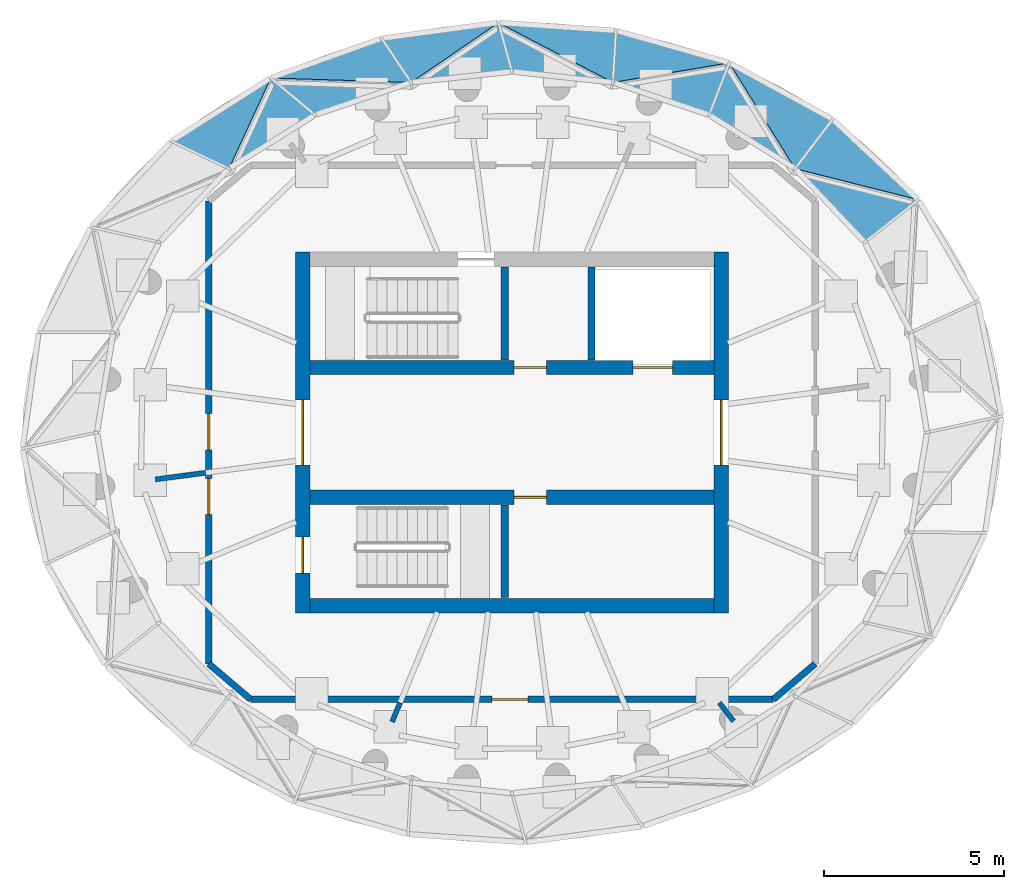
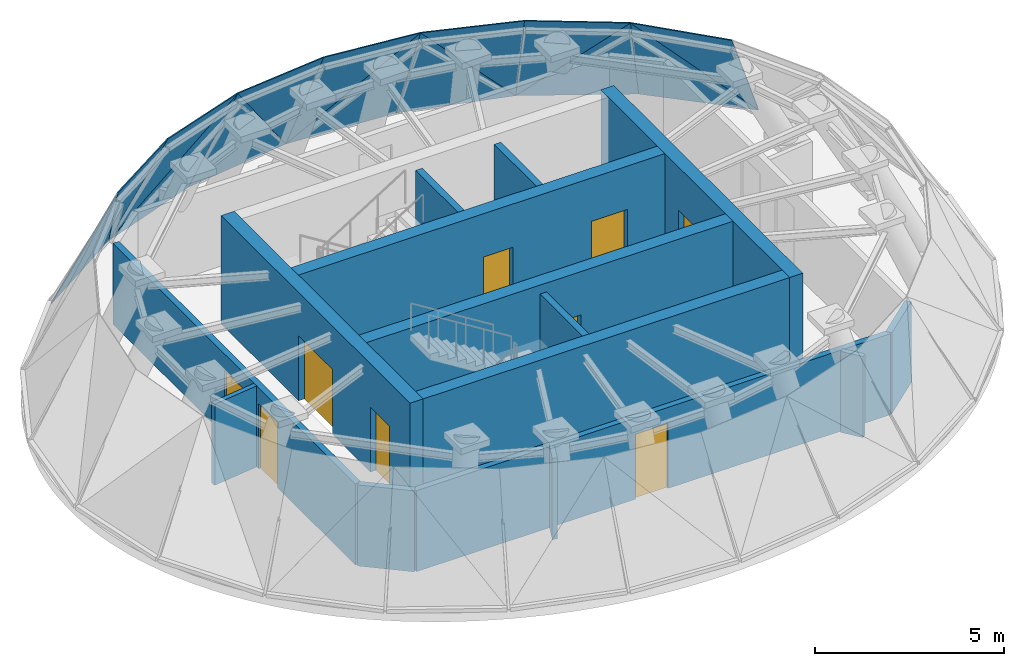
# One storey, part 6 of 8: 15 walls, 14 plates, 9 doors, 9 openings, 14 elements without a shape of their own.
"""IFC4 building model written with IfcOpenShell, lengths in metres."""

from ifc_helpers import new_model, si_unit, direction, frame, frame_2d, origin, place, context, subcontext, project, spatial, line, indexed_curve, rectangle, outline, extrude, source, transform, mapped, material, layer, layer_set, type_object, element, fill, aggregate, save


model = new_model("IFC4")

# Units and contexts
model_context = context("Model", 3, precision=1e-05, world=origin(), true_north=direction((0.0, 1.0)))
body_context = subcontext(model_context, "Body", "Model", "MODEL_VIEW")
ifc_project = project(units=[si_unit("LENGTHUNIT", "METRE"), si_unit("AREAUNIT", "SQUARE_METRE"), si_unit("VOLUMEUNIT", "CUBIC_METRE"), si_unit("PLANEANGLEUNIT", "RADIAN"), si_unit("MASSUNIT", "GRAM", prefix="KILO")], contexts=[model_context])

# Site, building, storey
site_placement = place(None, origin())
site = spatial("IfcSite", under=ifc_project, at=site_placement, CompositionType="ELEMENT")
building_placement = place(site_placement, origin())
building = spatial("IfcBuilding", under=site, at=building_placement, Name="Spindrift Exchange Tower", CompositionType="ELEMENT")
storey_placement = place(building_placement, frame((0.0, 0.0, 283.60009765625)))
storey = spatial("IfcBuildingStorey", under=building, at=storey_placement, Name="L70", CompositionType="ELEMENT", Elevation=283.60009765625)

# Curtain wall, plate
ifc_material_1 = material(Name="Fritted laminated glass with bronze frame", Category="glass")
ifc_layer_1 = layer(ifc_material_1, 0.14990234375)
ifc_layer_set_1 = layer_set([ifc_layer_1], Name="CROWN BRONZE RAKED GLAZED WALL")
curtain_wall_type = type_object("IfcCurtainWallType", Name="CROWN BRONZE RAKED GLAZED WALL", PredefinedType="NOTDEFINED", material=ifc_layer_set_1)
curtain_wall_1_placement = place(storey_placement, origin())
curtain_wall_1 = element("IfcCurtainWall", 1, at=curtain_wall_1_placement, inside=storey, type_object=curtain_wall_type, Name="L70 Crown Bronze Raked Glazed Wall facet 9", PredefinedType="NOTDEFINED")
ifc_material_2 = material(Name="Bronze fritted laminated glass, close frit", Category="glass")
ifc_layer_2 = layer(ifc_material_2, 0.030029296875)
ifc_layer_set_2 = layer_set([ifc_layer_2], Name="CROWN BRONZE RAKED GLAZED WALL PANEL CLOSE FRIT 300")
plate_type_1 = type_object("IfcPlateType", Name="CROWN BRONZE RAKED GLAZED WALL PANEL CLOSE FRIT 300", PredefinedType="CURTAIN_PANEL", material=ifc_layer_set_2)
plate_1_placement = place(storey_placement, frame((58.021728515625, 58.243896484375, 0.010986328125), z_axis=(0.253076659336, 0.892603528664, 0.373110097848), x_axis=(-0.962077995666, 0.272774504408, 0.0)))
plate_1 = element("IfcPlate", 2, at=plate_1_placement, type_object=plate_type_1, Name="L70 panel CW-R.5a", PredefinedType="CURTAIN_PANEL", context=body_context, shape_type="SweptSolid", body=[
    extrude(outline(indexed_curve([(0.0, 0.0), (3.2646484375, 0.0), (2.955078125, 3.7607421875)], segments=[line(1, 2, 3, 1)], self_intersect=False)), origin(), (0.0, 0.0, -1.0), 0.030029296875),
])
aggregate(curtain_wall_1, [plate_1])

curtain_wall_2_placement = place(storey_placement, origin())
curtain_wall_2 = element("IfcCurtainWall", 3, at=curtain_wall_2_placement, inside=storey, type_object=curtain_wall_type, Name="L70 Crown Bronze Raked Glazed Wall facet 10", PredefinedType="NOTDEFINED")
plate_2_placement = place(storey_placement, frame((58.021728515625, 58.243896484375, 0.011962890625), z_axis=(0.292316130946, 0.866154204999, 0.405374114556), x_axis=(-0.674511107425, -0.113754503621, 0.729448201633)))
plate_2 = element("IfcPlate", 4, at=plate_2_placement, type_object=plate_type_1, Name="L70 panel CW-R.5b", PredefinedType="CURTAIN_PANEL", context=body_context, shape_type="SweptSolid", body=[
    extrude(outline(indexed_curve([(0.0, 0.0), (4.7822265625, 0.0), (3.0869140625, 2.244140625)], segments=[line(1, 2, 3, 1)], self_intersect=False)), origin(), (0.0, 0.0, -1.0), 0.030029296875),
])
aggregate(curtain_wall_2, [plate_2])

curtain_wall_3_placement = place(storey_placement, origin())
curtain_wall_3 = element("IfcCurtainWall", 5, at=curtain_wall_3_placement, inside=storey, type_object=curtain_wall_type, Name="L70 Crown Bronze Raked Glazed Wall facet 17", PredefinedType="NOTDEFINED")
plate_3_placement = place(storey_placement, frame((45.314208984375, 57.823486328125, 0.01171875), z_axis=(-0.493325295918, 0.775333525435, 0.394319764588), x_axis=(-0.843695379122, -0.536822230583, 0.0)))
plate_3 = element("IfcPlate", 6, at=plate_3_placement, type_object=plate_type_1, Name="L70 panel CW-R.9a", PredefinedType="CURTAIN_PANEL", context=body_context, shape_type="SweptSolid", body=[
    extrude(outline(indexed_curve([(0.0, 0.0), (3.2626953125, 0.0), (2.326171875, 3.7958984375)], segments=[line(1, 2, 3, 1)], self_intersect=False)), origin(), (0.0, 0.0, -1.0), 0.030029296875),
])
aggregate(curtain_wall_3, [plate_3])

curtain_wall_4_placement = place(storey_placement, origin())
curtain_wall_4 = element("IfcCurtainWall", 7, at=curtain_wall_4_placement, inside=storey, type_object=curtain_wall_type, Name="L70 Crown Bronze Raked Glazed Wall facet 18", PredefinedType="NOTDEFINED")
plate_4_placement = place(storey_placement, frame((45.314208984375, 57.823486328125, 0.01171875), z_axis=(-0.485766761889, 0.777880031132, 0.398664408005), x_axis=(-0.260328213113, -0.564145002801, 0.783562146401)))
plate_4 = element("IfcPlate", 8, at=plate_4_placement, type_object=plate_type_1, Name="L70 panel CW-R.9b", PredefinedType="CURTAIN_PANEL", context=body_context, shape_type="SweptSolid", body=[
    extrude(outline(indexed_curve([(0.0, 0.0), (4.4521484375, 0.0), (2.9912109375, 2.4013671875)], segments=[line(1, 2, 3, 1)], self_intersect=False)), origin(), (0.0, 0.0, -1.0), 0.030029296875),
])
aggregate(curtain_wall_4, [plate_4])

curtain_wall_5_placement = place(storey_placement, origin())
curtain_wall_5 = element("IfcCurtainWall", 9, at=curtain_wall_5_placement, inside=storey, type_object=curtain_wall_type, Name="L70 Crown Bronze Raked Glazed Wall facet 11", PredefinedType="NOTDEFINED")
ifc_layer_3 = layer(ifc_material_2, 0.030029296875)
ifc_layer_set_3 = layer_set([ifc_layer_3], Name="CROWN BRONZE RAKED GLAZED WALL PANEL CLOSE FRIT 420")
plate_type_2 = type_object("IfcPlateType", Name="CROWN BRONZE RAKED GLAZED WALL PANEL CLOSE FRIT 420", PredefinedType="CURTAIN_PANEL", material=ifc_layer_set_3)
plate_5_placement = place(storey_placement, frame((51.624267578125, 59.356689453125, 0.01123046875), z_axis=(0.062994162195, 0.922508362069, 0.380801861133), x_axis=(0.99767665123, -0.068127084122, 0.0)))
plate_5 = element("IfcPlate", 10, at=plate_5_placement, type_object=plate_type_2, Name="L70 panel CW-R.6a", PredefinedType="CURTAIN_PANEL", context=body_context, shape_type="SweptSolid", body=[
    extrude(outline(indexed_curve([(0.0, 0.0), (3.2646484375, 0.0), (3.27734375, -3.7734375)], segments=[line(1, 2, 3, 1)], self_intersect=False)), origin(), (0.0, 0.0, -1.0), 0.030029296875),
])
aggregate(curtain_wall_5, [plate_5])

curtain_wall_6_placement = place(storey_placement, origin())
curtain_wall_6 = element("IfcCurtainWall", 11, at=curtain_wall_6_placement, inside=storey, type_object=curtain_wall_type, Name="L70 Crown Bronze Raked Glazed Wall facet 12", PredefinedType="NOTDEFINED")
plate_6_placement = place(storey_placement, frame((51.624267578125, 59.356689453125, 0.010498046875), z_axis=(0.099890765181, 0.930959173628, 0.351193468148), x_axis=(0.634630174156, -0.331455426909, 0.698127382376)))
plate_6 = element("IfcPlate", 12, at=plate_6_placement, type_object=plate_type_2, Name="L70 panel CW-R.6b", PredefinedType="CURTAIN_PANEL", context=body_context, shape_type="SweptSolid", body=[
    extrude(outline(indexed_curve([(0.0, 0.0), (4.998046875, 0.0), (3.1240234375, -2.0966796875)], segments=[line(1, 2, 3, 1)], self_intersect=False)), origin(), (0.0, 0.0, -1.0), 0.030029296875),
])
aggregate(curtain_wall_6, [plate_6])

curtain_wall_7_placement = place(storey_placement, origin())
curtain_wall_7 = element("IfcCurtainWall", 13, at=curtain_wall_7_placement, inside=storey, type_object=curtain_wall_type, Name="L70 Crown Bronze Raked Glazed Wall facet 13", PredefinedType="NOTDEFINED")
plate_7_placement = place(storey_placement, frame((51.624267578125, 59.356689453125, 0.010498046875), z_axis=(-0.125297129076, 0.927100812122, 0.353248798452), x_axis=(-0.990990552755, -0.133931789917, 0.0)))
plate_7 = element("IfcPlate", 14, at=plate_7_placement, type_object=plate_type_2, Name="L70 panel CW-R.7a", PredefinedType="CURTAIN_PANEL", context=body_context, shape_type="SweptSolid", body=[
    extrude(outline(indexed_curve([(0.0, 0.0), (3.2646484375, 0.0), (2.62109375, 3.7294921875)], segments=[line(1, 2, 3, 1)], self_intersect=False)), origin(), (0.0, 0.0, -1.0), 0.030029296875),
])
aggregate(curtain_wall_7, [plate_7])

curtain_wall_8_placement = place(storey_placement, origin())
curtain_wall_8 = element("IfcCurtainWall", 15, at=curtain_wall_8_placement, inside=storey, type_object=curtain_wall_type, Name="L70 Crown Bronze Raked Glazed Wall facet 14", PredefinedType="NOTDEFINED")
plate_8_placement = place(storey_placement, frame((51.624267578125, 59.356689453125, 0.010986328125), z_axis=(-0.099120078612, 0.923776550381, 0.369881190361), x_axis=(-0.531050035247, -0.363459963609, 0.765429758317)))
plate_8 = element("IfcPlate", 16, at=plate_8_placement, type_object=plate_type_2, Name="L70 panel CW-R.7b", PredefinedType="CURTAIN_PANEL", context=body_context, shape_type="SweptSolid", body=[
    extrude(outline(indexed_curve([(0.0, 0.0), (4.55859375, 0.0), (2.9638671875, 2.3173828125)], segments=[line(1, 2, 3, 1)], self_intersect=False)), origin(), (0.0, 0.0, -1.0), 0.030029296875),
])
aggregate(curtain_wall_8, [plate_8])

curtain_wall_9_placement = place(storey_placement, origin())
curtain_wall_9 = element("IfcCurtainWall", 17, at=curtain_wall_9_placement, inside=storey, type_object=curtain_wall_type, Name="L70 Crown Bronze Raked Glazed Wall facet 15", PredefinedType="NOTDEFINED")
plate_9_placement = place(storey_placement, frame((45.314208984375, 57.823486328125, 0.01123046875), z_axis=(-0.310907110989, 0.872257553084, 0.377496396573), x_axis=(0.941951556741, 0.335748811991, 0.0)))
plate_9 = element("IfcPlate", 18, at=plate_9_placement, type_object=plate_type_2, Name="L70 panel CW-R.8a", PredefinedType="CURTAIN_PANEL", context=body_context, shape_type="SweptSolid", body=[
    extrude(outline(indexed_curve([(0.0, 0.0), (3.2646484375, 0.0), (3.6220703125, -3.767578125)], segments=[line(1, 2, 3, 1)], self_intersect=False)), origin(), (0.0, 0.0, -1.0), 0.030029296875),
])
aggregate(curtain_wall_9, [plate_9])

curtain_wall_10_placement = place(storey_placement, origin())
curtain_wall_10 = element("IfcCurtainWall", 19, at=curtain_wall_10_placement, inside=storey, type_object=curtain_wall_type, Name="L70 Crown Bronze Raked Glazed Wall facet 16", PredefinedType="NOTDEFINED")
plate_10_placement = place(storey_placement, frame((45.314208984375, 57.823486328125, 0.0107421875), z_axis=(-0.297914827801, 0.882743555741, 0.363332588924), x_axis=(0.744151646246, -0.023635724876, 0.667592450451)))
plate_10 = element("IfcPlate", 20, at=plate_10_placement, type_object=plate_type_2, Name="L70 panel CW-R.8b", PredefinedType="CURTAIN_PANEL", context=body_context, shape_type="SweptSolid", body=[
    extrude(outline(indexed_curve([(0.0, 0.0), (5.2265625, 0.0), (3.265625, -2.0146484375)], segments=[line(1, 2, 3, 1)], self_intersect=False)), origin(), (0.0, 0.0, -1.0), 0.030029296875),
])
aggregate(curtain_wall_10, [plate_10])

curtain_wall_11_placement = place(storey_placement, origin())
curtain_wall_11 = element("IfcCurtainWall", 21, at=curtain_wall_11_placement, inside=storey, type_object=curtain_wall_type, Name="L70 Crown Bronze Raked Glazed Wall facet 5", PredefinedType="NOTDEFINED")
ifc_layer_4 = layer(ifc_material_2, 0.030029296875)
ifc_layer_set_4 = layer_set([ifc_layer_4], Name="CROWN BRONZE RAKED GLAZED WALL PANEL CLOSE FRIT 540")
plate_type_3 = type_object("IfcPlateType", Name="CROWN BRONZE RAKED GLAZED WALL PANEL CLOSE FRIT 540", PredefinedType="CURTAIN_PANEL", material=ifc_layer_set_4)
plate_11_placement = place(storey_placement, frame((63.263916015625, 54.44921875, 0.01318359375), z_axis=(0.613946553326, 0.655436698277, 0.439854935417), x_axis=(-0.729829019063, 0.683629726485, 0.0)))
plate_11 = element("IfcPlate", 22, at=plate_11_placement, type_object=plate_type_3, Name="L70 panel CW-R.3a", PredefinedType="CURTAIN_PANEL", context=body_context, shape_type="SweptSolid", body=[
    extrude(outline(indexed_curve([(0.0, 0.0), (3.2607421875, 0.0), (3.0849609375, 3.8828125)], segments=[line(1, 2, 3, 1)], self_intersect=False)), origin(), (0.0, 0.0, -1.0), 0.030029296875),
])
aggregate(curtain_wall_11, [plate_11])

curtain_wall_12_placement = place(storey_placement, origin())
curtain_wall_12 = element("IfcCurtainWall", 23, at=curtain_wall_12_placement, inside=storey, type_object=curtain_wall_type, Name="L70 Crown Bronze Raked Glazed Wall facet 6", PredefinedType="NOTDEFINED")
plate_12_placement = place(storey_placement, frame((63.263916015625, 54.44921875, 0.01416015625), z_axis=(0.638838764286, 0.603402878257, 0.477273506238), x_axis=(-0.689566502229, 0.174004142726, 0.703008248399)))
plate_12 = element("IfcPlate", 24, at=plate_12_placement, type_object=plate_type_3, Name="L70 panel CW-R.3b", PredefinedType="CURTAIN_PANEL", context=body_context, shape_type="SweptSolid", body=[
    extrude(outline(indexed_curve([(0.0, 0.0), (4.9580078125, 0.0), (3.2734375, 2.2470703125)], segments=[line(1, 2, 3, 1)], self_intersect=False)), origin(), (0.0, 0.0, -1.0), 0.030029296875),
])
aggregate(curtain_wall_12, [plate_12])

curtain_wall_13_placement = place(storey_placement, origin())
curtain_wall_13 = element("IfcCurtainWall", 25, at=curtain_wall_13_placement, inside=storey, type_object=curtain_wall_type, Name="L70 Crown Bronze Raked Glazed Wall facet 7", PredefinedType="NOTDEFINED")
plate_13_placement = place(storey_placement, frame((58.021728515625, 58.243896484375, 0.012939453125), z_axis=(0.431458104976, 0.788842395267, 0.437688906736), x_axis=(0.877343083313, -0.479863641218, 0.0)))
plate_13 = element("IfcPlate", 26, at=plate_13_placement, type_object=plate_type_3, Name="L70 panel CW-R.4a", PredefinedType="CURTAIN_PANEL", context=body_context, shape_type="SweptSolid", body=[
    extrude(outline(indexed_curve([(0.0, 0.0), (3.2626953125, 0.0), (3.005859375, -3.8779296875)], segments=[line(1, 2, 3, 1)], self_intersect=False)), origin(), (0.0, 0.0, -1.0), 0.030029296875),
])
aggregate(curtain_wall_13, [plate_13])

curtain_wall_14_placement = place(storey_placement, origin())
curtain_wall_14 = element("IfcCurtainWall", 27, at=curtain_wall_14_placement, inside=storey, type_object=curtain_wall_type, Name="L70 Crown Bronze Raked Glazed Wall facet 8", PredefinedType="NOTDEFINED")
plate_14_placement = place(storey_placement, frame((58.021728515625, 58.243896484375, 0.011962890625), z_axis=(0.48551412175, 0.777475467184, 0.399759847295), x_axis=(0.371455514511, -0.597403143667, 0.710725182244)))
plate_14 = element("IfcPlate", 28, at=plate_14_placement, type_object=plate_type_3, Name="L70 panel CW-R.4b", PredefinedType="CURTAIN_PANEL", context=body_context, shape_type="SweptSolid", body=[
    extrude(outline(indexed_curve([(0.0, 0.0), (4.908203125, 0.0), (3.1328125, -2.1796875)], segments=[line(1, 2, 3, 1)], self_intersect=False)), origin(), (0.0, 0.0, -1.0), 0.030029296875),
])
aggregate(curtain_wall_14, [plate_14])

# Wall, opening, door
ifc_material_3 = material(Name="Concrete 40 MPa", Category="concrete")
ifc_layer_5 = layer(ifc_material_3, 0.39990234375)
ifc_layer_set_5 = layer_set([ifc_layer_5], Name="RC Core Wall 400 Concrete 40 MPa")
wall_type_1 = type_object("IfcWallType", Name="RC Core Wall 400 Concrete 40 MPa", PredefinedType="SHEAR", material=ifc_layer_set_5)
wall_1_placement = place(storey_placement, frame((57.800048828125, 43.0, 0.0), z_axis=(0.0, 0.0, 1.0), x_axis=(0.0, 1.0, 0.0)))
wall_1 = element("IfcWall", 29, at=wall_1_placement, inside=storey, type_object=wall_type_1, Name="Core wall E L70", PredefinedType="SHEAR", context=body_context, shape_type="SweptSolid", body=[
    extrude(rectangle(XDim=10.0, YDim=0.39990234375, at=frame_2d((5.0, 0.0))), origin(), (0.0, 0.0, 1.0), 3.5),
])
opening_1_placement = place(wall_1_placement, frame((4.10009765625, 0.0, 0.0)))
opening_1 = element("IfcOpeningElement", 30, at=opening_1_placement, cuts=wall_1, Name="Opening L70-D2", PredefinedType="OPENING", context=body_context, shape_type="SweptSolid", body=[
    extrude(rectangle(XDim=1.800048828125, YDim=2.10009765625, at=frame_2d((0.89990234375, 1.050048828125))), frame((0.0, 0.2099609375, 0.0), z_axis=(0.0, -1.0, 0.0), x_axis=(1.0, 0.0, 0.0)), (0.0, 0.0, 1.0), 0.419921875),
])
ifc_material_4 = material(Name="Timber-core fire door", Category="wood")
door_type_1 = type_object("IfcDoorType", Name="DR-LOBBY-1800", OperationType="NOTDEFINED", PredefinedType="DOOR", material=ifc_material_4)
shared_shape_1 = source(origin(), body_context, "Body", "SweptSolid", [
    extrude(rectangle(XDim=1.800048828125, YDim=2.10009765625, at=frame_2d((0.89990234375, 1.050048828125))), frame((0.0, 0.02490234375, 0.0), z_axis=(0.0, -1.0, 0.0), x_axis=(1.0, 0.0, 0.0)), (0.0, 0.0, 1.0), 0.050048828125),
])
door_1_placement = place(opening_1_placement, origin())
door_1 = element("IfcDoor", 31, at=door_1_placement, inside=storey, type_object=door_type_1, Name="L70 Lobby door 2", OperationType="SINGLE_SWING_LEFT", OverallHeight=2.10009765625, OverallWidth=1.800048828125, PredefinedType="DOOR", context=body_context, shape_type="MappedRepresentation", body=[
    mapped(shared_shape_1, transform((0.0, 0.0, 0.0), scale=1.0)),
])
fill(opening_1, door_1)

# Wall, openings, doors
wall_2_placement = place(storey_placement, frame((46.199951171875, 53.0, 0.0), z_axis=(0.0, 0.0, 1.0), x_axis=(0.0, -1.0, 0.0)))
wall_2 = element("IfcWall", 32, at=wall_2_placement, inside=storey, type_object=wall_type_1, Name="Core wall W L70", PredefinedType="SHEAR", context=body_context, shape_type="SweptSolid", body=[
    extrude(rectangle(XDim=10.0, YDim=0.39990234375, at=frame_2d((5.0, 0.0))), origin(), (0.0, 0.0, 1.0), 3.5),
])
opening_2_placement = place(wall_2_placement, frame((4.10009765625, 0.0, 0.0)))
opening_2 = element("IfcOpeningElement", 33, at=opening_2_placement, cuts=wall_2, Name="Opening L70-D1", PredefinedType="OPENING", context=body_context, shape_type="SweptSolid", body=[
    extrude(rectangle(XDim=1.800048828125, YDim=2.10009765625, at=frame_2d((0.89990234375, 1.050048828125))), frame((0.0, 0.2099609375, 0.0), z_axis=(0.0, -1.0, 0.0), x_axis=(1.0, 0.0, 0.0)), (0.0, 0.0, 1.0), 0.419921875),
])
opening_3_placement = place(wall_2_placement, frame((7.89990234375, 0.0, 0.0)))
opening_3 = element("IfcOpeningElement", 34, at=opening_3_placement, cuts=wall_2, Name="Opening L70-D4", PredefinedType="OPENING", context=body_context, shape_type="SweptSolid", body=[
    extrude(rectangle(XDim=1.0, YDim=2.10009765625, at=frame_2d((0.5, 1.050048828125))), frame((0.0, 0.2099609375, 0.0), z_axis=(0.0, -1.0, 0.0), x_axis=(1.0, 0.0, 0.0)), (0.0, 0.0, 1.0), 0.419921875),
])
door_2_placement = place(opening_2_placement, origin())
door_2 = element("IfcDoor", 35, at=door_2_placement, inside=storey, type_object=door_type_1, Name="L70 Lobby door 1", OperationType="SINGLE_SWING_RIGHT", OverallHeight=2.10009765625, OverallWidth=1.800048828125, PredefinedType="DOOR", context=body_context, shape_type="MappedRepresentation", body=[
    mapped(shared_shape_1, transform((0.0, 0.0, 0.0), scale=1.0)),
])
fill(opening_2, door_2)
ifc_material_5 = material(Name="Steel fire door", Category="steel")
door_type_2 = type_object("IfcDoorType", Name="DR-STAIR-1000", OperationType="NOTDEFINED", PredefinedType="DOOR", material=ifc_material_5)
shared_shape_2 = source(origin(), body_context, "Body", "SweptSolid", [
    extrude(rectangle(XDim=1.0, YDim=2.10009765625, at=frame_2d((0.5, 1.050048828125))), frame((0.0, 0.02490234375, 0.0), z_axis=(0.0, -1.0, 0.0), x_axis=(1.0, 0.0, 0.0)), (0.0, 0.0, 1.0), 0.050048828125),
])
door_3_placement = place(opening_3_placement, origin())
door_3 = element("IfcDoor", 36, at=door_3_placement, inside=storey, type_object=door_type_2, Name="L70 Stair door 4", OperationType="SINGLE_SWING_LEFT", OverallHeight=2.10009765625, OverallWidth=1.0, PredefinedType="DOOR", context=body_context, shape_type="MappedRepresentation", body=[
    mapped(shared_shape_2, transform((0.0, 0.0, 0.0), scale=1.0)),
])
fill(opening_3, door_3)

# Wall
wall_3_placement = place(storey_placement, frame((46.39990234375, 43.199951171875, 0.0), z_axis=(0.0, 0.0, 1.0), x_axis=(1.0, 0.0, 0.0)))
element("IfcWall", 37, at=wall_3_placement, inside=storey, type_object=wall_type_1, Name="Core wall S L70", PredefinedType="SHEAR", context=body_context, shape_type="SweptSolid", body=[
    extrude(rectangle(XDim=11.2001953125, YDim=0.39990234375, at=frame_2d((5.60009765625, 0.0))), origin(), (0.0, 0.0, 1.0), 3.5),
])

# Wall, openings, doors
ifc_layer_6 = layer(ifc_material_3, 0.39990234375)
ifc_layer_set_6 = layer_set([ifc_layer_6], Name="RC Spine Wall 400 Concrete 40 MPa")
wall_type_2 = type_object("IfcWallType", Name="RC Spine Wall 400 Concrete 40 MPa", PredefinedType="SHEAR", material=ifc_layer_set_6)
wall_4_placement = place(storey_placement, frame((46.39990234375, 49.800048828125, 0.0), z_axis=(0.0, 0.0, 1.0), x_axis=(1.0, 0.0, 0.0)))
wall_4 = element("IfcWall", 38, at=wall_4_placement, inside=storey, type_object=wall_type_2, Name="Core spine wall N L70", PredefinedType="SHEAR", context=body_context, shape_type="SweptSolid", body=[
    extrude(rectangle(XDim=11.2001953125, YDim=0.39990234375, at=frame_2d((5.60009765625, 0.0))), origin(), (0.0, 0.0, 1.0), 3.5),
])
opening_4_placement = place(wall_4_placement, frame((8.949951171875, 0.0, 0.0)))
opening_4 = element("IfcOpeningElement", 39, at=opening_4_placement, cuts=wall_4, Name="Opening L70-D5", PredefinedType="OPENING", context=body_context, shape_type="SweptSolid", body=[
    extrude(rectangle(XDim=1.10009765625, YDim=2.10009765625, at=frame_2d((0.550048828125, 1.050048828125))), frame((0.0, 0.2099609375, 0.0), z_axis=(0.0, -1.0, 0.0), x_axis=(1.0, 0.0, 0.0)), (0.0, 0.0, 1.0), 0.419921875),
])
opening_5_placement = place(wall_4_placement, frame((5.64990234375, 0.0, 0.0)))
opening_5 = element("IfcOpeningElement", 40, at=opening_5_placement, cuts=wall_4, Name="Opening L70-D12", PredefinedType="OPENING", context=body_context, shape_type="SweptSolid", body=[
    extrude(rectangle(XDim=0.89990234375, YDim=2.10009765625, at=frame_2d((0.449951171875, 1.050048828125))), frame((0.0, 0.2099609375, 0.0), z_axis=(0.0, -1.0, 0.0), x_axis=(1.0, 0.0, 0.0)), (0.0, 0.0, 1.0), 0.419921875),
])
ifc_material_6 = material(Name="Stainless steel landing door", Category="steel")
door_type_3 = type_object("IfcDoorType", Name="DR-LANDING-1100-SL", OperationType="DOUBLE_DOOR_SLIDING", PredefinedType="USERDEFINED", material=ifc_material_6)
shared_shape_3 = source(origin(), body_context, "Body", "SweptSolid", [
    extrude(rectangle(XDim=1.10009765625, YDim=2.10009765625, at=frame_2d((0.550048828125, 1.050048828125))), frame((0.0, 0.02490234375, 0.0), z_axis=(0.0, -1.0, 0.0), x_axis=(1.0, 0.0, 0.0)), (0.0, 0.0, 1.0), 0.050048828125),
])
door_4_placement = place(opening_4_placement, origin())
door_4 = element("IfcDoor", 41, at=door_4_placement, inside=storey, type_object=door_type_3, Name="L70 Lift landing door 5", ObjectType="LANDING DOOR", OperationType="DOUBLE_DOOR_SLIDING", OverallHeight=2.10009765625, OverallWidth=1.10009765625, PredefinedType="USERDEFINED", context=body_context, shape_type="MappedRepresentation", body=[
    mapped(shared_shape_3, transform((0.0, 0.0, 0.0), scale=1.0)),
])
fill(opening_4, door_4)
ifc_material_7 = material(Name="Steel access door", Category="steel")
door_type_4 = type_object("IfcDoorType", Name="DR-RISER-900", OperationType="NOTDEFINED", PredefinedType="DOOR", material=ifc_material_7)
shared_shape_4 = source(origin(), body_context, "Body", "SweptSolid", [
    extrude(rectangle(XDim=0.89990234375, YDim=2.10009765625, at=frame_2d((0.449951171875, 1.050048828125))), frame((0.0, 0.02490234375, 0.0), z_axis=(0.0, -1.0, 0.0), x_axis=(1.0, 0.0, 0.0)), (0.0, 0.0, 1.0), 0.050048828125),
])
door_5_placement = place(opening_5_placement, origin())
door_5 = element("IfcDoor", 42, at=door_5_placement, inside=storey, type_object=door_type_4, Name="L70 Riser door 12", OperationType="SINGLE_SWING_RIGHT", OverallHeight=2.10009765625, OverallWidth=0.89990234375, PredefinedType="DOOR", context=body_context, shape_type="MappedRepresentation", body=[
    mapped(shared_shape_4, transform((0.0, 0.0, 0.0), scale=1.0)),
])
fill(opening_5, door_5)

# Wall, opening, door
wall_5_placement = place(storey_placement, frame((46.39990234375, 46.199951171875, 0.0), z_axis=(0.0, 0.0, 1.0), x_axis=(1.0, 0.0, 0.0)))
wall_5 = element("IfcWall", 43, at=wall_5_placement, inside=storey, type_object=wall_type_2, Name="Core spine wall S L70", PredefinedType="SHEAR", context=body_context, shape_type="SweptSolid", body=[
    extrude(rectangle(XDim=11.2001953125, YDim=0.39990234375, at=frame_2d((5.60009765625, 0.0))), origin(), (0.0, 0.0, 1.0), 3.5),
])
opening_6_placement = place(wall_5_placement, frame((5.64990234375, 0.0, 0.0)))
opening_6 = element("IfcOpeningElement", 44, at=opening_6_placement, cuts=wall_5, Name="Opening L70-D13", PredefinedType="OPENING", context=body_context, shape_type="SweptSolid", body=[
    extrude(rectangle(XDim=0.89990234375, YDim=2.10009765625, at=frame_2d((0.449951171875, 1.050048828125))), frame((0.0, 0.2099609375, 0.0), z_axis=(0.0, -1.0, 0.0), x_axis=(1.0, 0.0, 0.0)), (0.0, 0.0, 1.0), 0.419921875),
])
door_6_placement = place(opening_6_placement, origin())
door_6 = element("IfcDoor", 45, at=door_6_placement, inside=storey, type_object=door_type_4, Name="L70 Riser door 13", OperationType="SINGLE_SWING_LEFT", OverallHeight=2.10009765625, OverallWidth=0.89990234375, PredefinedType="DOOR", context=body_context, shape_type="MappedRepresentation", body=[
    mapped(shared_shape_4, transform((0.0, 0.0, 0.0), scale=1.0)),
])
fill(opening_6, door_6)

# Walls
ifc_material_8 = material(Name="Fire-rated plasterboard partition", Category="gypsum")
ifc_layer_7 = layer(ifc_material_8, 0.139892578125)
ifc_layer_set_7 = layer_set([ifc_layer_7], Name="W-PLANT-140")
wall_type_3 = type_object("IfcWallType", Name="W-PLANT-140", PredefinedType="PARTITIONING", material=ifc_layer_set_7)
wall_6_placement = place(storey_placement, frame((43.510009765625, 46.88232421875, 0.0), z_axis=(0.0, 0.0, 1.0), x_axis=(-0.991446604194, -0.130512953506, 0.0)))
element("IfcWall", 46, at=wall_6_placement, inside=storey, type_object=wall_type_3, Name="L70 Partition wall 8", PredefinedType="PARTITIONING", context=body_context, shape_type="SweptSolid", body=[
    extrude(rectangle(XDim=1.40478515625, YDim=0.139892578125, at=frame_2d((0.702392578125, 0.0))), origin(), (0.0, 0.0, 1.0), 2.619873046875),
])
wall_7_placement = place(storey_placement, frame((48.8974609375, 40.510009765625, 0.0), z_axis=(0.0, 0.0, 1.0), x_axis=(-0.382564297979, -0.923928870591, 0.0)))
element("IfcWall", 47, at=wall_7_placement, inside=storey, type_object=wall_type_3, Name="L70 Partition wall 10", PredefinedType="PARTITIONING", context=body_context, shape_type="SweptSolid", body=[
    extrude(rectangle(XDim=0.574951171875, YDim=0.139892578125, at=frame_2d((0.28759765625, 0.0))), origin(), (0.0, 0.0, 1.0), 2.619873046875),
])
wall_8_placement = place(storey_placement, frame((57.747314453125, 40.510009765625, 0.0), z_axis=(0.0, 0.0, 1.0), x_axis=(0.608757758263, -0.79335615694, 0.0)))
element("IfcWall", 48, at=wall_8_placement, inside=storey, type_object=wall_type_3, Name="L70 Partition wall 13", PredefinedType="PARTITIONING", context=body_context, shape_type="SweptSolid", body=[
    extrude(rectangle(XDim=0.64404296875, YDim=0.139892578125, at=frame_2d((0.322021484375, 0.0))), origin(), (0.0, 0.0, 1.0), 2.619873046875),
])

# Wall, opening, door
ifc_layer_8 = layer(ifc_material_8, 0.179931640625)
ifc_layer_set_8 = layer_set([ifc_layer_8], Name="W-PLANT-180")
wall_type_4 = type_object("IfcWallType", Name="W-PLANT-180", PredefinedType="PARTITIONING", material=ifc_layer_set_8)
wall_9_placement = place(storey_placement, frame((59.23974609375, 40.60009765625, 0.0), z_axis=(0.0, 0.0, 1.0), x_axis=(-1.0, 0.0, 0.0)))
wall_9 = element("IfcWall", 49, at=wall_9_placement, inside=storey, type_object=wall_type_4, Name="L70 Partition wall 5", PredefinedType="PARTITIONING", context=body_context, shape_type="SweptSolid", body=[
    extrude(rectangle(XDim=14.4794921875, YDim=0.179931640625, at=frame_2d((7.23974609375, 0.0))), origin(), (0.0, 0.0, 1.0), 2.619873046875),
])
opening_7_placement = place(wall_9_placement, frame((6.789794921875, 0.0, 0.0)))
opening_7 = element("IfcOpeningElement", 50, at=opening_7_placement, cuts=wall_9, Name="Opening L70-D10", PredefinedType="OPENING", context=body_context, shape_type="SweptSolid", body=[
    extrude(rectangle(XDim=1.0, YDim=2.10009765625, at=frame_2d((0.5, 1.050048828125))), frame((0.0, 0.099853515625, 0.0), z_axis=(0.0, -1.0, 0.0), x_axis=(1.0, 0.0, 0.0)), (0.0, 0.0, 1.0), 0.199951171875),
])
door_type_5 = type_object("IfcDoorType", Name="DR-ROOM-1000", OperationType="NOTDEFINED", PredefinedType="DOOR", material=ifc_material_4)
shared_shape_5 = source(origin(), body_context, "Body", "SweptSolid", [
    extrude(rectangle(XDim=1.0, YDim=2.10009765625, at=frame_2d((0.5, 1.050048828125))), frame((0.0, 0.02490234375, 0.0), z_axis=(0.0, -1.0, 0.0), x_axis=(1.0, 0.0, 0.0)), (0.0, 0.0, 1.0), 0.050048828125),
])
door_7_placement = place(opening_7_placement, origin())
door_7 = element("IfcDoor", 51, at=door_7_placement, inside=storey, type_object=door_type_5, Name="L70 Door 10", OperationType="SINGLE_SWING_RIGHT", OverallHeight=2.10009765625, OverallWidth=1.0, PredefinedType="DOOR", context=body_context, shape_type="MappedRepresentation", body=[
    mapped(shared_shape_5, transform((0.0, 0.0, 0.0), scale=1.0)),
])
fill(opening_7, door_7)

# Wall, openings, doors
wall_10_placement = place(storey_placement, frame((43.60009765625, 41.585693359375, 0.0), z_axis=(0.0, 0.0, 1.0), x_axis=(0.0, 1.0, 0.0)))
wall_10 = element("IfcWall", 52, at=wall_10_placement, inside=storey, type_object=wall_type_4, Name="L70 Partition wall 7", PredefinedType="PARTITIONING", context=body_context, shape_type="SweptSolid", body=[
    extrude(rectangle(XDim=12.82861328125, YDim=0.179931640625, at=frame_2d((6.414306640625, 0.0))), origin(), (0.0, 0.0, 1.0), 2.619873046875),
])
opening_8_placement = place(wall_10_placement, frame((5.934326171875, 0.0, 0.0)))
opening_8 = element("IfcOpeningElement", 53, at=opening_8_placement, cuts=wall_10, Name="Opening L70-D8", PredefinedType="OPENING", context=body_context, shape_type="SweptSolid", body=[
    extrude(rectangle(XDim=1.0, YDim=2.10009765625, at=frame_2d((0.5, 1.050048828125))), frame((0.0, 0.099853515625, 0.0), z_axis=(0.0, -1.0, 0.0), x_axis=(1.0, 0.0, 0.0)), (0.0, 0.0, 1.0), 0.199951171875),
])
opening_9_placement = place(wall_10_placement, frame((4.13427734375, 0.0, 0.0)))
opening_9 = element("IfcOpeningElement", 54, at=opening_9_placement, cuts=wall_10, Name="Opening L70-D9", PredefinedType="OPENING", context=body_context, shape_type="SweptSolid", body=[
    extrude(rectangle(XDim=1.0, YDim=2.10009765625, at=frame_2d((0.5, 1.050048828125))), frame((0.0, 0.099853515625, 0.0), z_axis=(0.0, -1.0, 0.0), x_axis=(1.0, 0.0, 0.0)), (0.0, 0.0, 1.0), 0.199951171875),
])
door_8_placement = place(opening_8_placement, origin())
door_8 = element("IfcDoor", 55, at=door_8_placement, inside=storey, type_object=door_type_5, Name="L70 Door 8", OperationType="SINGLE_SWING_RIGHT", OverallHeight=2.10009765625, OverallWidth=1.0, PredefinedType="DOOR", context=body_context, shape_type="MappedRepresentation", body=[
    mapped(shared_shape_5, transform((0.0, 0.0, 0.0), scale=1.0)),
])
fill(opening_8, door_8)
door_9_placement = place(opening_9_placement, origin())
door_9 = element("IfcDoor", 56, at=door_9_placement, inside=storey, type_object=door_type_5, Name="L70 Door 9", OperationType="SINGLE_SWING_LEFT", OverallHeight=2.10009765625, OverallWidth=1.0, PredefinedType="DOOR", context=body_context, shape_type="MappedRepresentation", body=[
    mapped(shared_shape_5, transform((0.0, 0.0, 0.0), scale=1.0)),
])
fill(opening_9, door_9)

# Walls
for number, where, z_axis, x_axis, name in (
    (57, (44.76025390625, 40.60009765625, 0.0), (0.0, 0.0, 1.0), (-0.762113400958, 0.647443560536, 0.0), "L70 Partition wall 16"),
    (58, (59.23974609375, 40.60009765625, 0.0), (0.0, 0.0, 1.0), (0.762113400958, 0.647443560536, 0.0), "L70 Partition wall 17"),
):
    element("IfcWall", number, at=place(storey_placement, frame(where, z_axis=z_axis, x_axis=x_axis)), inside=storey, type_object=wall_type_4, Name=name, PredefinedType="PARTITIONING", context=body_context, shape_type="SweptSolid", body=[
        extrude(rectangle(XDim=1.522216796875, YDim=0.179931640625, at=frame_2d((0.76123046875, 0.0))), origin(), (0.0, 0.0, 1.0), 2.619873046875),
    ])
ifc_layer_9 = layer(ifc_material_3, 0.199951171875)
ifc_layer_set_9 = layer_set([ifc_layer_9], Name="W-SHAFT-200")
wall_type_5 = type_object("IfcWallType", Name="W-SHAFT-200", PredefinedType="SOLIDWALL", material=ifc_layer_set_9)
wall_11_placement = place(storey_placement, frame((54.199951171875, 52.580078125, 0.0), z_axis=(0.0, 0.0, 1.0), x_axis=(0.0, -1.0, 0.0)))
element("IfcWall", 59, at=wall_11_placement, inside=storey, type_object=wall_type_5, Name="L70 Shaft wall 3", PredefinedType="SOLIDWALL", context=body_context, shape_type="SweptSolid", body=[
    extrude(rectangle(XDim=2.570068359375, YDim=0.199951171875, at=frame_2d((1.28515625, 0.0))), origin(), (0.0, 0.0, 1.0), 3.219970703125),
])
ifc_layer_10 = layer(ifc_material_3, 0.199951171875)
ifc_layer_set_10 = layer_set([ifc_layer_10], Name="W-SHAFT-200-LB")
wall_type_6 = type_object("IfcWallType", Name="W-SHAFT-200-LB", PredefinedType="SOLIDWALL", material=ifc_layer_set_10)
for number, where, z_axis, x_axis, name in (
    (60, (51.800048828125, 43.419921875, 0.0), (0.0, 0.0, 1.0), (0.0, 1.0, 0.0), "L70 Shaft wall 1"),
    (61, (51.800048828125, 50.010009765625, 0.0), (0.0, 0.0, 1.0), (0.0, 1.0, 0.0), "L70 Shaft wall 2"),
):
    element("IfcWall", number, at=place(storey_placement, frame(where, z_axis=z_axis, x_axis=x_axis)), inside=storey, type_object=wall_type_6, Name=name, PredefinedType="SOLIDWALL", context=body_context, shape_type="SweptSolid", body=[
        extrude(rectangle(XDim=2.570068359375, YDim=0.199951171875, at=frame_2d((1.28515625, 0.0))), origin(), (0.0, 0.0, 1.0), 3.219970703125),
    ])

save(model, "model.ifc")
